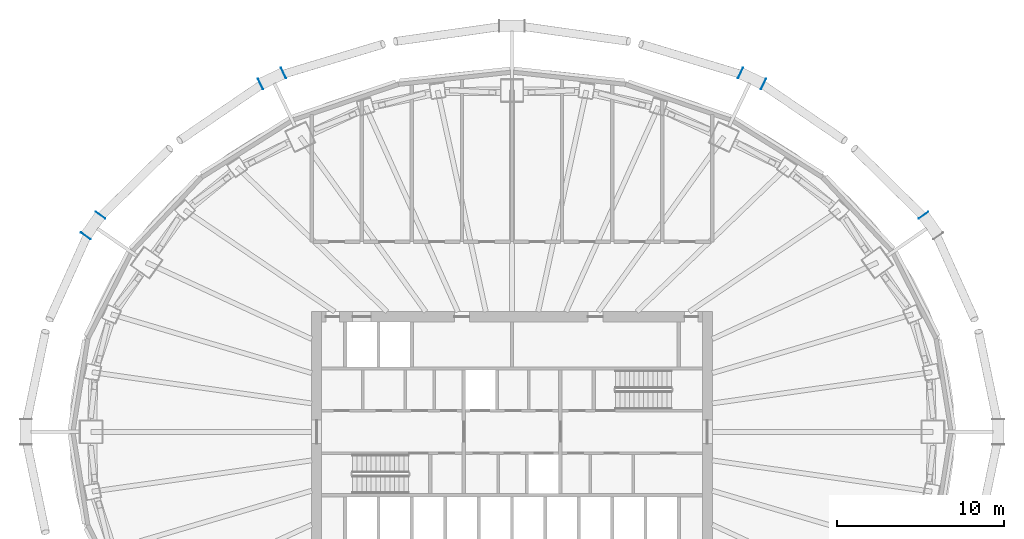
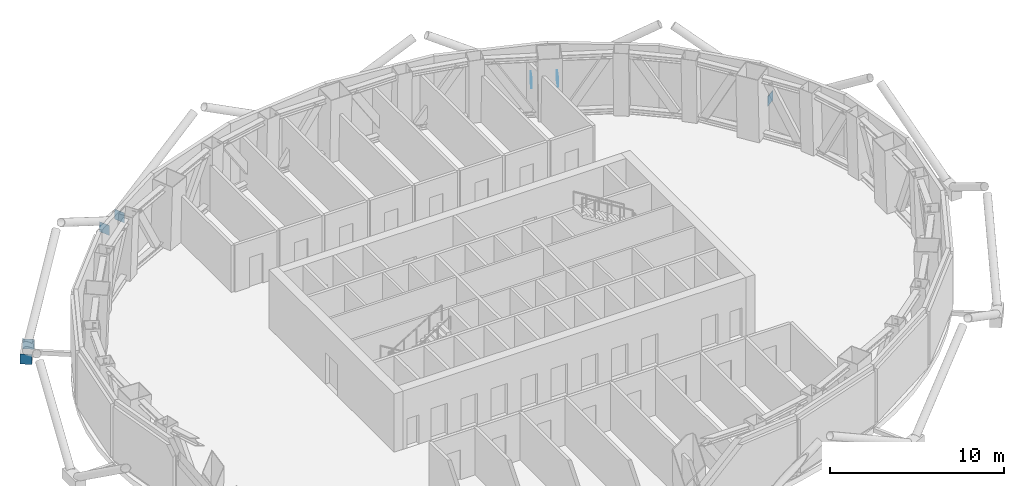
# One storey, part 11 of 18: 7 discrete accessories.
"""IFC4 building model written with IfcOpenShell, lengths in metres."""

from ifc_helpers import new_model, si_unit, direction, frame, origin, origin_2d, place, context, subcontext, project, spatial, rectangle, extrude, material, layer, layer_set, type_object, element, save


model = new_model("IFC4")

# Units and contexts
model_context = context("Model", 3, precision=1e-05, world=origin(), true_north=direction((0.0, 1.0)))
body_context = subcontext(model_context, "Body", "Model", "MODEL_VIEW")
ifc_project = project(units=[si_unit("LENGTHUNIT", "METRE"), si_unit("AREAUNIT", "SQUARE_METRE"), si_unit("VOLUMEUNIT", "CUBIC_METRE"), si_unit("PLANEANGLEUNIT", "RADIAN"), si_unit("MASSUNIT", "GRAM", prefix="KILO")], contexts=[model_context])

# Site, building, storey
site_placement = place(None, origin())
site = spatial("IfcSite", under=ifc_project, at=site_placement, CompositionType="ELEMENT")
building_placement = place(site_placement, origin())
building = spatial("IfcBuilding", under=site, at=building_placement, Name="Siaravel Broadcast Tower", CompositionType="ELEMENT")
storey_placement = place(building_placement, frame((0.0, 0.0, 92.60009765625)))
storey = spatial("IfcBuildingStorey", under=building, at=storey_placement, Name="L21", CompositionType="ELEMENT", Elevation=92.60009765625)

# Discrete accessories
ifc_material = material(Name="Steel S355", Category="steel")
ifc_layer = layer(ifc_material, 0.02001953125)
ifc_layer_set = layer_set([ifc_layer], Name="Steel S355")
discrete_accessory_type = type_object("IfcDiscreteAccessoryType", Name="Steel end plate 20 mm", PredefinedType="USERDEFINED", material=ifc_layer_set)
for number, where, z_axis, x_axis, name in (
    (1, (24.660400390625, 12.9873046875, -0.55029296875), (0.0, 0.0, 1.0), (-0.576118513, 0.817366172, 0.0), "End plate R09 station 06A"),
    (2, (13.68603515625, 21.49609375, -0.55029296875), (0.0, 0.0, 1.0), (-0.904006456, 0.427518805, 0.0), "End plate R09 station 12A"),
    (3, (15.06640625, 20.84326171875, -0.55029296875), (0.0, 0.0, 1.0), (-0.904006456, 0.427518805, 0.0), "End plate R09 station 12B"),
    (4, (-15.06640625, 20.84326171875, -0.55029296875), (0.0, 0.0, 1.0), (-0.904006456, -0.427518805, 0.0), "End plate R09 station 24A"),
    (5, (-13.68603515625, 21.49609375, -0.55029296875), (0.0, 0.0, 1.0), (-0.904006456, -0.427518805, 0.0), "End plate R09 station 24B"),
    (6, (-25.5400390625, 11.7392578125, -0.55029296875), (0.0, 0.0, 1.0), (-0.576118513, -0.817366172, 0.0), "End plate R09 station 30A"),
    (7, (-24.660400390625, 12.9873046875, -0.55029296875), (0.0, 0.0, 1.0), (-0.576118513, -0.817366172, 0.0), "End plate R09 station 30B"),
):
    element("IfcDiscreteAccessory", number, at=place(storey_placement, frame(where, z_axis=z_axis, x_axis=x_axis)), inside=storey, type_object=discrete_accessory_type, Name=name, ObjectType="END PLATE", PredefinedType="USERDEFINED", context=body_context, shape_type="SweptSolid", body=[
        extrude(rectangle(XDim=0.02001953125, YDim=0.699951171875, at=origin_2d()), origin(), (0.0, 0.0, 1.0), 0.699951171875),
    ])

save(model, "model.ifc")
